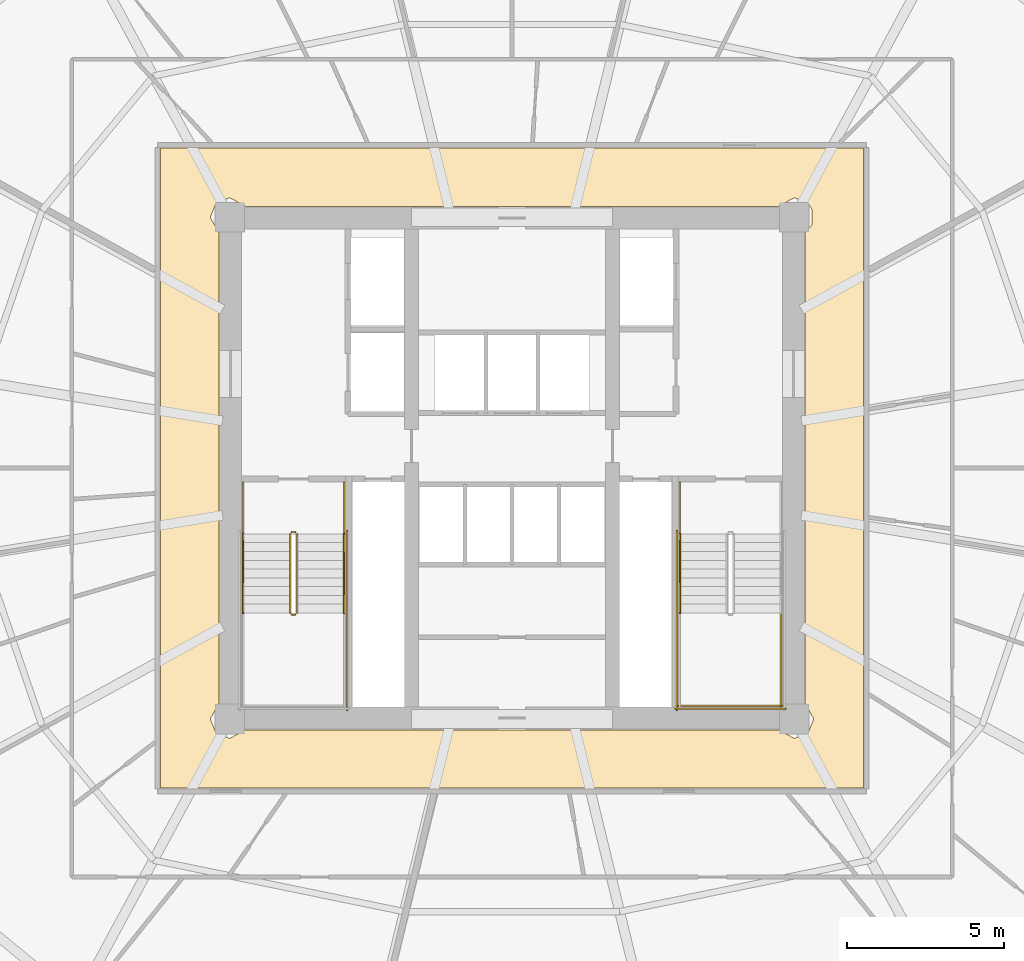
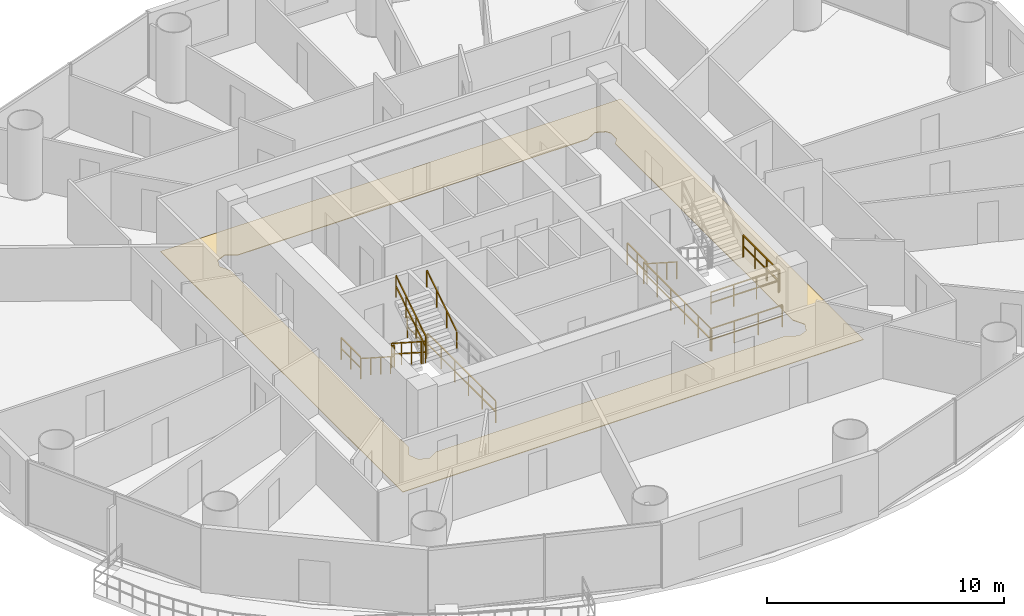
# One storey, part 27 of 29: 15 railings, 1 covering.
"""IFC4 building model written with IfcOpenShell, lengths in metres."""

from ifc_helpers import new_model, si_unit, direction, frame, origin, origin_2d, place, context, subcontext, project, spatial, polyline, rectangle, outline, extrude, material, layer, layer_set, type_object, element, save


model = new_model("IFC4")

# Units and contexts
model_context = context("Model", 3, precision=1e-05, world=origin(), true_north=direction((-0.2419218956, 0.970295726276)))
body_context = subcontext(model_context, "Body", "Model", "MODEL_VIEW")
ifc_project = project(units=[si_unit("LENGTHUNIT", "METRE"), si_unit("AREAUNIT", "SQUARE_METRE"), si_unit("VOLUMEUNIT", "CUBIC_METRE"), si_unit("PLANEANGLEUNIT", "RADIAN"), si_unit("MASSUNIT", "GRAM", prefix="KILO")], contexts=[model_context])

# Site, building, storey
site_placement = place(None, origin())
site = spatial("IfcSite", under=ifc_project, at=site_placement, CompositionType="ELEMENT")
building_placement = place(site_placement, origin())
building = spatial("IfcBuilding", under=site, at=building_placement, Name="Cobrevalo Terracotta Tower", CompositionType="ELEMENT")
storey_placement = place(building_placement, frame((0.0, 0.0, 97.800048828125)))
storey = spatial("IfcBuildingStorey", under=building, at=storey_placement, Name="L25", CompositionType="ELEMENT", Elevation=97.800048828125)

# Covering
ifc_material_1 = material(Name="Honed terracotta and granite tile", Category="masonry")
ifc_layer = layer(ifc_material_1, 0.034912109375)
ifc_layer_set = layer_set([ifc_layer], Name="Honed terracotta and granite tile")
covering_type = type_object("IfcCoveringType", Name="Honed Terracotta & Granite Interior Flooring 35", PredefinedType="FLOORING", material=ifc_layer_set)
covering_placement = place(storey_placement, origin())
element("IfcCovering", 1, at=covering_placement, inside=storey, type_object=covering_type, Name="L25 Residential Floor Corridor floor finish", PredefinedType="FLOORING", context=body_context, shape_type="SweptSolid", body=[
    extrude(outline(polyline([(49.205078125, 37.0048828125), (49.205078125, 16.594970703125), (26.794921875, 16.594970703125), (26.794921875, 37.0048828125), (49.205078125, 37.0048828125)]), holes=[polyline([(47.344970703125, 34.298828125), (47.5732421875, 34.5625), (47.5732421875, 35.037353515625), (47.438720703125, 35.23876953125), (47.0, 35.42041015625), (46.498779296875, 35.14501953125), (29.501220703125, 35.14501953125), (29.0, 35.42041015625), (28.561279296875, 35.23876953125), (28.379638671875, 34.800048828125), (28.655029296875, 34.298828125), (28.655029296875, 19.30126953125), (28.379638671875, 18.800048828125), (28.561279296875, 18.361328125), (29.0, 18.1796875), (29.501220703125, 18.455078125), (46.498779296875, 18.455078125), (47.0, 18.1796875), (47.438720703125, 18.361328125), (47.620361328125, 18.800048828125), (47.344970703125, 19.30126953125), (47.344970703125, 34.298828125)])]), origin(), (0.0, 0.0, 1.0), 0.030029296875),
])

# Railings
ifc_material_2 = material(Name="Brushed stainless steel", Category="steel")
railing_type_1 = type_object("IfcRailingType", Name="Stainless Steel Stair Handrail 900", PredefinedType="HANDRAIL", material=ifc_material_2)
railing_1_placement = place(storey_placement, frame((29.425048828125, 24.699951171875, 0.179931640625)))
element("IfcRailing", 2, at=railing_1_placement, inside=storey, type_object=railing_type_1, Name="L25 ST-1 stair handrail 1", PredefinedType="HANDRAIL", context=body_context, shape_type="SweptSolid", body=[
    extrude(rectangle(XDim=0.048095703125, YDim=0.048095703125, at=origin_2d()), frame((0.0, 0.0, 0.8759765625), z_axis=(0.0, -0.841162588446, 0.540782303519), x_axis=(1.0, 0.0, 0.0)), (0.0, 0.0, 1.0), 2.995849609375),
    extrude(rectangle(XDim=0.0419921875, YDim=0.0419921875, at=origin_2d()), origin(), (0.0, 0.0, 1.0), 0.851806640625),
    extrude(rectangle(XDim=0.0419921875, YDim=0.0419921875, at=origin_2d()), frame((0.0, -0.840087890625, 0.5400390625)), (0.0, 0.0, 1.0), 0.851806640625),
    extrude(rectangle(XDim=0.0419921875, YDim=0.0419921875, at=origin_2d()), frame((0.0, -1.679931640625, 1.080078125)), (0.0, 0.0, 1.0), 0.851806640625),
    extrude(rectangle(XDim=0.0419921875, YDim=0.0419921875, at=origin_2d()), frame((0.0, -2.52001953125, 1.6201171875)), (0.0, 0.0, 1.0), 0.851806640625),
])
railing_2_placement = place(storey_placement, frame((32.64501953125, 22.179931640625, 1.97998046875)))
element("IfcRailing", 3, at=railing_2_placement, inside=storey, type_object=railing_type_1, Name="L25 ST-1 stair handrail 2", PredefinedType="HANDRAIL", context=body_context, shape_type="SweptSolid", body=[
    extrude(rectangle(XDim=0.048095703125, YDim=0.048095703125, at=origin_2d()), frame((0.0, 0.0, 0.8759765625), z_axis=(0.0, 0.841199657755, 0.540724639528), x_axis=(-1.0, 0.0, 0.0)), (0.0, 0.0, 1.0), 2.995849609375),
    extrude(rectangle(XDim=0.0419921875, YDim=0.0419921875, at=origin_2d()), origin(), (0.0, 0.0, 1.0), 0.851806640625),
    extrude(rectangle(XDim=0.0419921875, YDim=0.0419921875, at=origin_2d()), frame((0.0, 0.840087890625, 0.5400390625)), (0.0, 0.0, 1.0), 0.851806640625),
    extrude(rectangle(XDim=0.0419921875, YDim=0.0419921875, at=origin_2d()), frame((0.0, 1.679931640625, 1.079833984375)), (0.0, 0.0, 1.0), 0.851806640625),
    extrude(rectangle(XDim=0.0419921875, YDim=0.0419921875, at=origin_2d()), frame((0.0, 2.52001953125, 1.619873046875)), (0.0, 0.0, 1.0), 0.851806640625),
])
railing_3_placement = place(storey_placement, frame((43.35498046875, 24.699951171875, 0.179931640625)))
element("IfcRailing", 4, at=railing_3_placement, inside=storey, type_object=railing_type_1, Name="L25 ST-2 stair handrail 1", PredefinedType="HANDRAIL", context=body_context, shape_type="SweptSolid", body=[
    extrude(rectangle(XDim=0.048095703125, YDim=0.048095703125, at=origin_2d()), frame((0.0, 0.0, 0.8759765625), z_axis=(0.0, -0.841162588446, 0.540782303519), x_axis=(1.0, 0.0, 0.0)), (0.0, 0.0, 1.0), 2.995849609375),
    extrude(rectangle(XDim=0.0419921875, YDim=0.0419921875, at=origin_2d()), origin(), (0.0, 0.0, 1.0), 0.851806640625),
    extrude(rectangle(XDim=0.0419921875, YDim=0.0419921875, at=origin_2d()), frame((0.0, -0.840087890625, 0.5400390625)), (0.0, 0.0, 1.0), 0.851806640625),
    extrude(rectangle(XDim=0.0419921875, YDim=0.0419921875, at=origin_2d()), frame((0.0, -1.679931640625, 1.080078125)), (0.0, 0.0, 1.0), 0.851806640625),
    extrude(rectangle(XDim=0.0419921875, YDim=0.0419921875, at=origin_2d()), frame((0.0, -2.52001953125, 1.6201171875)), (0.0, 0.0, 1.0), 0.851806640625),
])
ifc_material_3 = material(Name="Painted galvanized steel", Category="steel")
railing_type_2 = type_object("IfcRailingType", Name="Stair Well Guard Balustrade 1150", PredefinedType="GUARDRAIL", material=ifc_material_3)
railing_4_placement = place(storey_placement, frame((30.925048828125, 24.699951171875, 0.179931640625)))
element("IfcRailing", 5, at=railing_4_placement, inside=storey, type_object=railing_type_2, Name="L25 ST-1 stair guard 1", PredefinedType="GUARDRAIL", context=body_context, shape_type="SweptSolid", body=[
    extrude(rectangle(XDim=0.048095703125, YDim=0.048095703125, at=origin_2d()), frame((0.0, 0.0, 1.1259765625), z_axis=(0.0, -0.841162588446, 0.540782303519), x_axis=(1.0, 0.0, 0.0)), (0.0, 0.0, 1.0), 2.995849609375),
    extrude(rectangle(XDim=0.048095703125, YDim=0.048095703125, at=origin_2d()), frame((0.0, 0.0, 0.574951171875), z_axis=(0.0, -0.841162588446, 0.540782303519), x_axis=(1.0, 0.0, 0.0)), (0.0, 0.0, 1.0), 2.995849609375),
    extrude(rectangle(XDim=0.0419921875, YDim=0.0419921875, at=origin_2d()), origin(), (0.0, 0.0, 1.0), 1.101806640625),
    extrude(rectangle(XDim=0.0419921875, YDim=0.0419921875, at=origin_2d()), frame((0.0, -0.840087890625, 0.5400390625)), (0.0, 0.0, 1.0), 1.101806640625),
    extrude(rectangle(XDim=0.0419921875, YDim=0.0419921875, at=origin_2d()), frame((0.0, -1.679931640625, 1.080078125)), (0.0, 0.0, 1.0), 1.101806640625),
    extrude(rectangle(XDim=0.0419921875, YDim=0.0419921875, at=origin_2d()), frame((0.0, -2.52001953125, 1.6201171875)), (0.0, 0.0, 1.0), 1.101806640625),
])
railing_5_placement = place(storey_placement, frame((30.97509765625, 22.1298828125, 1.800048828125)))
element("IfcRailing", 6, at=railing_5_placement, inside=storey, type_object=railing_type_2, Name="L25 ST-1 stair guard 2", PredefinedType="GUARDRAIL", context=body_context, shape_type="SweptSolid", body=[
    extrude(rectangle(XDim=0.048095703125, YDim=0.048095703125, at=origin_2d()), frame((0.0, 0.0, 1.1259765625), z_axis=(1.0, 0.0, 0.0), x_axis=(0.0, 1.0, 0.0)), (0.0, 0.0, 1.0), 0.119873046875),
    extrude(rectangle(XDim=0.048095703125, YDim=0.048095703125, at=origin_2d()), frame((0.0, 0.0, 0.574951171875), z_axis=(1.0, 0.0, 0.0), x_axis=(0.0, 1.0, 0.0)), (0.0, 0.0, 1.0), 0.119873046875),
    extrude(rectangle(XDim=0.0419921875, YDim=0.0419921875, at=origin_2d()), origin(), (0.0, 0.0, 1.0), 1.101806640625),
    extrude(rectangle(XDim=0.0419921875, YDim=0.0419921875, at=origin_2d()), frame((0.119873046875, 0.0, 0.0)), (0.0, 0.0, 1.0), 1.101806640625),
])
railing_6_placement = place(storey_placement, frame((31.14501953125, 22.179931640625, 1.97998046875)))
element("IfcRailing", 7, at=railing_6_placement, inside=storey, type_object=railing_type_2, Name="L25 ST-1 stair guard 6", PredefinedType="GUARDRAIL", context=body_context, shape_type="SweptSolid", body=[
    extrude(rectangle(XDim=0.048095703125, YDim=0.048095703125, at=origin_2d()), frame((0.0, 0.0, 1.1259765625), z_axis=(0.0, 0.841199657755, 0.540724639528), x_axis=(-1.0, 0.0, 0.0)), (0.0, 0.0, 1.0), 2.995849609375),
    extrude(rectangle(XDim=0.048095703125, YDim=0.048095703125, at=origin_2d()), frame((0.0, 0.0, 0.574951171875), z_axis=(0.0, 0.841199657755, 0.540724639528), x_axis=(-1.0, 0.0, 0.0)), (0.0, 0.0, 1.0), 2.995849609375),
    extrude(rectangle(XDim=0.0419921875, YDim=0.0419921875, at=origin_2d()), origin(), (0.0, 0.0, 1.0), 1.101806640625),
    extrude(rectangle(XDim=0.0419921875, YDim=0.0419921875, at=origin_2d()), frame((0.0, 0.840087890625, 0.5400390625)), (0.0, 0.0, 1.0), 1.101806640625),
    extrude(rectangle(XDim=0.0419921875, YDim=0.0419921875, at=origin_2d()), frame((0.0, 1.679931640625, 1.079833984375)), (0.0, 0.0, 1.0), 1.101806640625),
    extrude(rectangle(XDim=0.0419921875, YDim=0.0419921875, at=origin_2d()), frame((0.0, 2.52001953125, 1.619873046875)), (0.0, 0.0, 1.0), 1.101806640625),
])
railing_7_placement = place(storey_placement, frame((30.97509765625, 24.75, 0.0)))
element("IfcRailing", 8, at=railing_7_placement, inside=storey, type_object=railing_type_2, Name="L25 ST-1 stair guard 7", PredefinedType="GUARDRAIL", context=body_context, shape_type="SweptSolid", body=[
    extrude(rectangle(XDim=0.048095703125, YDim=0.048095703125, at=origin_2d()), frame((0.0, 0.0, 1.1259765625), z_axis=(1.0, 0.0, 0.0), x_axis=(0.0, 1.0, 0.0)), (0.0, 0.0, 1.0), 0.119873046875),
    extrude(rectangle(XDim=0.048095703125, YDim=0.048095703125, at=origin_2d()), frame((0.0, 0.0, 0.574951171875), z_axis=(1.0, 0.0, 0.0), x_axis=(0.0, 1.0, 0.0)), (0.0, 0.0, 1.0), 0.119873046875),
    extrude(rectangle(XDim=0.0419921875, YDim=0.0419921875, at=origin_2d()), origin(), (0.0, 0.0, 1.0), 1.101806640625),
    extrude(rectangle(XDim=0.0419921875, YDim=0.0419921875, at=origin_2d()), frame((0.119873046875, 0.0, 0.0)), (0.0, 0.0, 1.0), 1.101806640625),
])
for number, where, name in (
    (9, (29.425048828125, 26.35009765625, 0.0), "L25 ST-1 stair guard 8"),
    (10, (32.64501953125, 26.35009765625, 0.0), "L25 ST-1 stair guard 9"),
):
    element("IfcRailing", number, at=place(storey_placement, frame(where)), inside=storey, type_object=railing_type_2, Name=name, PredefinedType="GUARDRAIL", context=body_context, shape_type="SweptSolid", body=[
        extrude(rectangle(XDim=0.048095703125, YDim=0.048095703125, at=origin_2d()), frame((0.0, 0.0, 1.1259765625), z_axis=(0.0, -1.0, 0.0), x_axis=(1.0, 0.0, 0.0)), (0.0, 0.0, 1.0), 1.650146484375),
        extrude(rectangle(XDim=0.048095703125, YDim=0.048095703125, at=origin_2d()), frame((0.0, 0.0, 0.574951171875), z_axis=(0.0, -1.0, 0.0), x_axis=(1.0, 0.0, 0.0)), (0.0, 0.0, 1.0), 1.650146484375),
        extrude(rectangle(XDim=0.0419921875, YDim=0.0419921875, at=origin_2d()), origin(), (0.0, 0.0, 1.0), 1.101806640625),
        extrude(rectangle(XDim=0.0419921875, YDim=0.0419921875, at=origin_2d()), frame((0.0, -0.8251953125, 0.0)), (0.0, 0.0, 1.0), 1.101806640625),
        extrude(rectangle(XDim=0.0419921875, YDim=0.0419921875, at=origin_2d()), frame((0.0, -1.650146484375, 0.0)), (0.0, 0.0, 1.0), 1.101806640625),
    ])
railing_8_placement = place(storey_placement, frame((32.7451171875, 24.800048828125, 0.0)))
element("IfcRailing", 11, at=railing_8_placement, inside=storey, type_object=railing_type_2, Name="L25 ST-1 stair guard 11", PredefinedType="GUARDRAIL", context=body_context, shape_type="SweptSolid", body=[
    extrude(rectangle(XDim=0.048095703125, YDim=0.048095703125, at=origin_2d()), frame((0.0, 0.0, 1.1259765625), z_axis=(0.0, -1.0, 0.0), x_axis=(1.0, 0.0, 0.0)), (0.0, 0.0, 1.0), 5.72509765625),
    extrude(rectangle(XDim=0.048095703125, YDim=0.048095703125, at=origin_2d()), frame((0.0, 0.0, 0.574951171875), z_axis=(0.0, -1.0, 0.0), x_axis=(1.0, 0.0, 0.0)), (0.0, 0.0, 1.0), 5.72509765625),
    extrude(rectangle(XDim=0.0419921875, YDim=0.0419921875, at=origin_2d()), origin(), (0.0, 0.0, 1.0), 1.101806640625),
    extrude(rectangle(XDim=0.0419921875, YDim=0.0419921875, at=origin_2d()), frame((0.0, -1.14501953125, 0.0)), (0.0, 0.0, 1.0), 1.101806640625),
    extrude(rectangle(XDim=0.0419921875, YDim=0.0419921875, at=origin_2d()), frame((0.0, -2.2900390625, 0.0)), (0.0, 0.0, 1.0), 1.101806640625),
    extrude(rectangle(XDim=0.0419921875, YDim=0.0419921875, at=origin_2d()), frame((0.0, -3.43505859375, 0.0)), (0.0, 0.0, 1.0), 1.101806640625),
    extrude(rectangle(XDim=0.0419921875, YDim=0.0419921875, at=origin_2d()), frame((0.0, -4.580078125, 0.0)), (0.0, 0.0, 1.0), 1.101806640625),
    extrude(rectangle(XDim=0.0419921875, YDim=0.0419921875, at=origin_2d()), frame((0.0, -5.72509765625, 0.0)), (0.0, 0.0, 1.0), 1.101806640625),
])
railing_9_placement = place(storey_placement, frame((46.574951171875, 22.179931640625, 1.800048828125)))
element("IfcRailing", 12, at=railing_9_placement, inside=storey, type_object=railing_type_2, Name="L25 ST-2 stair guard 4", PredefinedType="GUARDRAIL", context=body_context, shape_type="SweptSolid", body=[
    extrude(rectangle(XDim=0.048095703125, YDim=0.048095703125, at=origin_2d()), frame((0.0, 0.0, 1.1259765625), z_axis=(0.0, -1.0, 0.0), x_axis=(1.0, 0.0, 0.0)), (0.0, 0.0, 1.0), 3.0048828125),
    extrude(rectangle(XDim=0.048095703125, YDim=0.048095703125, at=origin_2d()), frame((0.0, 0.0, 0.574951171875), z_axis=(0.0, -1.0, 0.0), x_axis=(1.0, 0.0, 0.0)), (0.0, 0.0, 1.0), 3.0048828125),
    extrude(rectangle(XDim=0.0419921875, YDim=0.0419921875, at=origin_2d()), origin(), (0.0, 0.0, 1.0), 1.101806640625),
    extrude(rectangle(XDim=0.0419921875, YDim=0.0419921875, at=origin_2d()), frame((0.0, -1.001708984375, 0.0)), (0.0, 0.0, 1.0), 1.101806640625),
    extrude(rectangle(XDim=0.0419921875, YDim=0.0419921875, at=origin_2d()), frame((0.0, -2.003173828125, 0.0)), (0.0, 0.0, 1.0), 1.101806640625),
    extrude(rectangle(XDim=0.0419921875, YDim=0.0419921875, at=origin_2d()), frame((0.0, -3.0048828125, 0.0)), (0.0, 0.0, 1.0), 1.101806640625),
])
railing_10_placement = place(storey_placement, frame((43.304931640625, 19.22509765625, 1.800048828125)))
element("IfcRailing", 13, at=railing_10_placement, inside=storey, type_object=railing_type_2, Name="L25 ST-2 stair guard 5", PredefinedType="GUARDRAIL", context=body_context, shape_type="SweptSolid", body=[
    extrude(rectangle(XDim=0.048095703125, YDim=0.048095703125, at=origin_2d()), frame((0.0, 0.0, 1.1259765625), z_axis=(1.0, 0.0, 0.0), x_axis=(0.0, 1.0, 0.0)), (0.0, 0.0, 1.0), 3.320068359375),
    extrude(rectangle(XDim=0.048095703125, YDim=0.048095703125, at=origin_2d()), frame((0.0, 0.0, 0.574951171875), z_axis=(1.0, 0.0, 0.0), x_axis=(0.0, 1.0, 0.0)), (0.0, 0.0, 1.0), 3.320068359375),
    extrude(rectangle(XDim=0.0419921875, YDim=0.0419921875, at=origin_2d()), origin(), (0.0, 0.0, 1.0), 1.101806640625),
    extrude(rectangle(XDim=0.0419921875, YDim=0.0419921875, at=origin_2d()), frame((1.106689453125, 0.0, 0.0)), (0.0, 0.0, 1.0), 1.101806640625),
    extrude(rectangle(XDim=0.0419921875, YDim=0.0419921875, at=origin_2d()), frame((2.21337890625, 0.0, 0.0)), (0.0, 0.0, 1.0), 1.101806640625),
    extrude(rectangle(XDim=0.0419921875, YDim=0.0419921875, at=origin_2d()), frame((3.320068359375, 0.0, 0.0)), (0.0, 0.0, 1.0), 1.101806640625),
])
railing_11_placement = place(storey_placement, frame((43.35498046875, 26.35009765625, 0.0)))
element("IfcRailing", 14, at=railing_11_placement, inside=storey, type_object=railing_type_2, Name="L25 ST-2 stair guard 8", PredefinedType="GUARDRAIL", context=body_context, shape_type="SweptSolid", body=[
    extrude(rectangle(XDim=0.048095703125, YDim=0.048095703125, at=origin_2d()), frame((0.0, 0.0, 1.1259765625), z_axis=(0.0, -1.0, 0.0), x_axis=(1.0, 0.0, 0.0)), (0.0, 0.0, 1.0), 1.650146484375),
    extrude(rectangle(XDim=0.048095703125, YDim=0.048095703125, at=origin_2d()), frame((0.0, 0.0, 0.574951171875), z_axis=(0.0, -1.0, 0.0), x_axis=(1.0, 0.0, 0.0)), (0.0, 0.0, 1.0), 1.650146484375),
    extrude(rectangle(XDim=0.0419921875, YDim=0.0419921875, at=origin_2d()), origin(), (0.0, 0.0, 1.0), 1.101806640625),
    extrude(rectangle(XDim=0.0419921875, YDim=0.0419921875, at=origin_2d()), frame((0.0, -0.8251953125, 0.0)), (0.0, 0.0, 1.0), 1.101806640625),
    extrude(rectangle(XDim=0.0419921875, YDim=0.0419921875, at=origin_2d()), frame((0.0, -1.650146484375, 0.0)), (0.0, 0.0, 1.0), 1.101806640625),
])
railing_12_placement = place(storey_placement, frame((43.2548828125, 24.800048828125, 0.0)))
element("IfcRailing", 15, at=railing_12_placement, inside=storey, type_object=railing_type_2, Name="L25 ST-2 stair guard 10", PredefinedType="GUARDRAIL", context=body_context, shape_type="SweptSolid", body=[
    extrude(rectangle(XDim=0.048095703125, YDim=0.048095703125, at=origin_2d()), frame((0.0, 0.0, 1.1259765625), z_axis=(0.0, -1.0, 0.0), x_axis=(1.0, 0.0, 0.0)), (0.0, 0.0, 1.0), 5.72509765625),
    extrude(rectangle(XDim=0.048095703125, YDim=0.048095703125, at=origin_2d()), frame((0.0, 0.0, 0.574951171875), z_axis=(0.0, -1.0, 0.0), x_axis=(1.0, 0.0, 0.0)), (0.0, 0.0, 1.0), 5.72509765625),
    extrude(rectangle(XDim=0.0419921875, YDim=0.0419921875, at=origin_2d()), origin(), (0.0, 0.0, 1.0), 1.101806640625),
    extrude(rectangle(XDim=0.0419921875, YDim=0.0419921875, at=origin_2d()), frame((0.0, -1.14501953125, 0.0)), (0.0, 0.0, 1.0), 1.101806640625),
    extrude(rectangle(XDim=0.0419921875, YDim=0.0419921875, at=origin_2d()), frame((0.0, -2.2900390625, 0.0)), (0.0, 0.0, 1.0), 1.101806640625),
    extrude(rectangle(XDim=0.0419921875, YDim=0.0419921875, at=origin_2d()), frame((0.0, -3.43505859375, 0.0)), (0.0, 0.0, 1.0), 1.101806640625),
    extrude(rectangle(XDim=0.0419921875, YDim=0.0419921875, at=origin_2d()), frame((0.0, -4.580078125, 0.0)), (0.0, 0.0, 1.0), 1.101806640625),
    extrude(rectangle(XDim=0.0419921875, YDim=0.0419921875, at=origin_2d()), frame((0.0, -5.72509765625, 0.0)), (0.0, 0.0, 1.0), 1.101806640625),
])
railing_13_placement = place(storey_placement, frame((43.205078125, 19.125, 0.0)))
element("IfcRailing", 16, at=railing_13_placement, inside=storey, type_object=railing_type_2, Name="L25 ST-2 stair guard 12", PredefinedType="GUARDRAIL", context=body_context, shape_type="SweptSolid", body=[
    extrude(rectangle(XDim=0.048095703125, YDim=0.048095703125, at=origin_2d()), frame((0.0, 0.0, 1.1259765625), z_axis=(1.0, 0.0, 0.0), x_axis=(0.0, 1.0, 0.0)), (0.0, 0.0, 1.0), 3.52001953125),
    extrude(rectangle(XDim=0.048095703125, YDim=0.048095703125, at=origin_2d()), frame((0.0, 0.0, 0.574951171875), z_axis=(1.0, 0.0, 0.0), x_axis=(0.0, 1.0, 0.0)), (0.0, 0.0, 1.0), 3.52001953125),
    extrude(rectangle(XDim=0.0419921875, YDim=0.0419921875, at=origin_2d()), origin(), (0.0, 0.0, 1.0), 1.101806640625),
    extrude(rectangle(XDim=0.0419921875, YDim=0.0419921875, at=origin_2d()), frame((1.17333984375, 0.0, 0.0)), (0.0, 0.0, 1.0), 1.101806640625),
    extrude(rectangle(XDim=0.0419921875, YDim=0.0419921875, at=origin_2d()), frame((2.3466796875, 0.0, 0.0)), (0.0, 0.0, 1.0), 1.101806640625),
    extrude(rectangle(XDim=0.0419921875, YDim=0.0419921875, at=origin_2d()), frame((3.52001953125, 0.0, 0.0)), (0.0, 0.0, 1.0), 1.101806640625),
])

save(model, "model.ifc")
